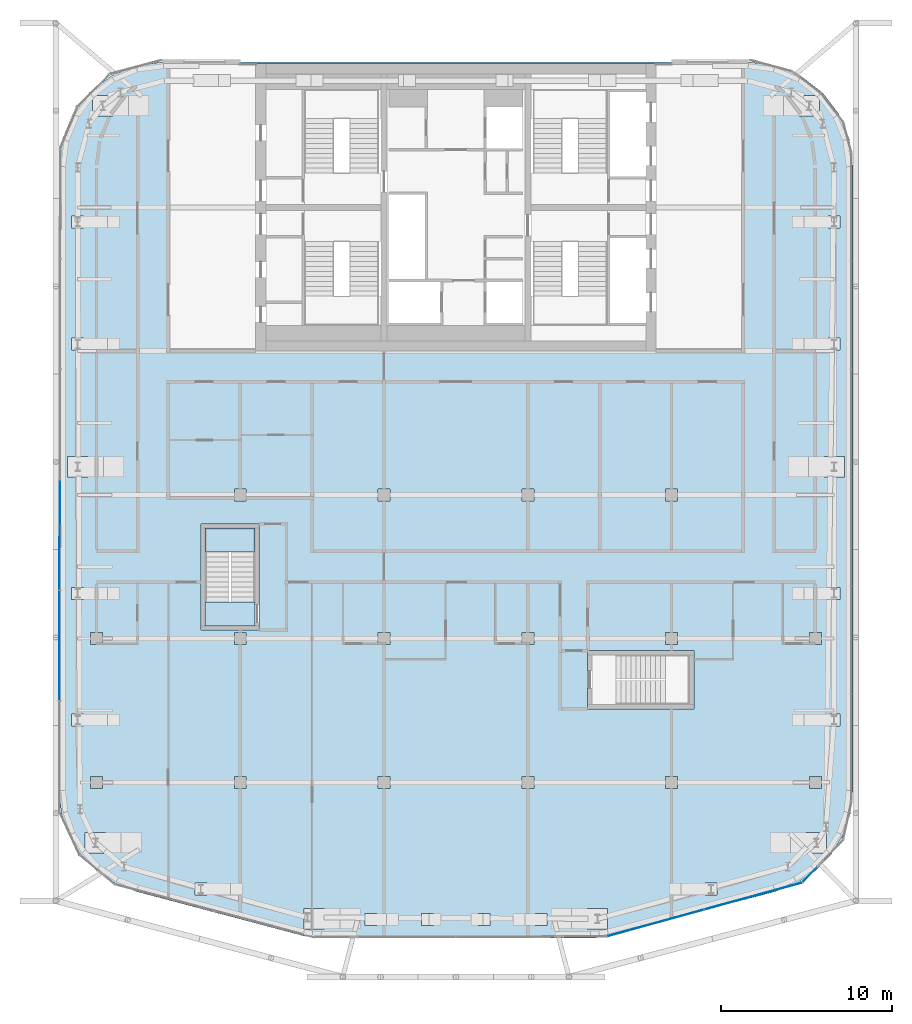
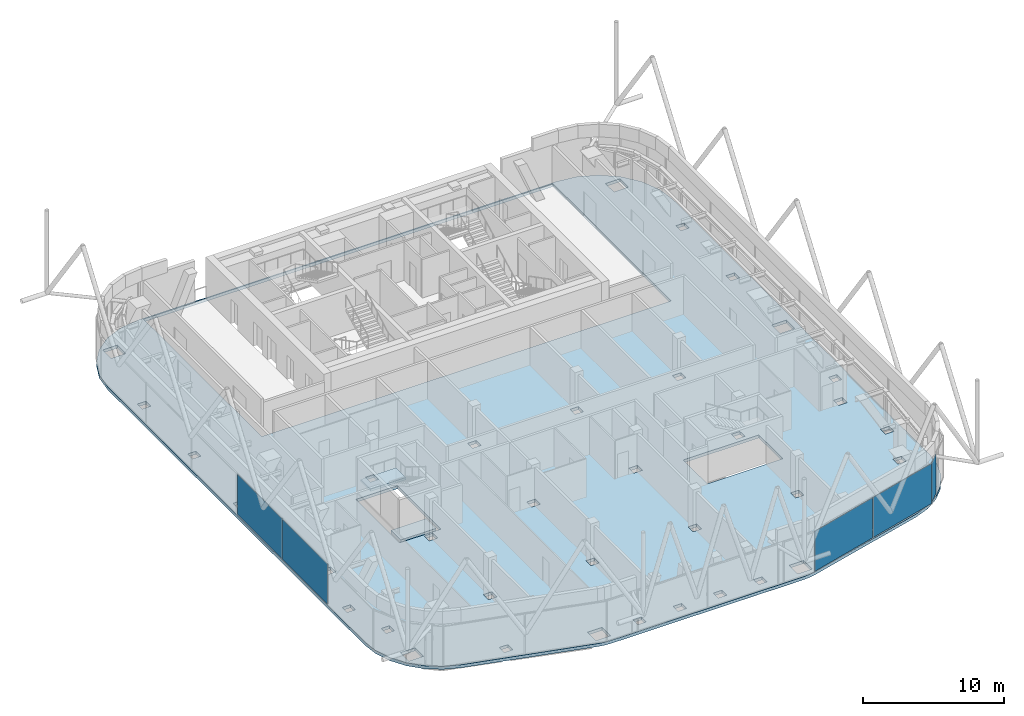
# One storey, part 15 of 25: 5 plates, 3 slabs, 4 elements without a shape of their own.
"""IFC4 building model written with IfcOpenShell, lengths in metres."""

from ifc_helpers import new_model, si_unit, direction, frame, origin, origin_2d, place, context, subcontext, project, spatial, polyline, rectangle, outline, extrude, material, layer, layer_set, type_object, element, aggregate, save


model = new_model("IFC4")

# Units and contexts
model_context = context("Model", 3, precision=1e-05, world=origin(), true_north=direction((0.0, 1.0)))
body_context = subcontext(model_context, "Body", "Model", "MODEL_VIEW")
ifc_project = project(units=[si_unit("LENGTHUNIT", "METRE"), si_unit("AREAUNIT", "SQUARE_METRE"), si_unit("VOLUMEUNIT", "CUBIC_METRE"), si_unit("PLANEANGLEUNIT", "RADIAN"), si_unit("MASSUNIT", "GRAM", prefix="KILO")], contexts=[model_context])

# Site, building, storey
site_placement = place(None, origin())
site = spatial("IfcSite", under=ifc_project, at=site_placement, CompositionType="ELEMENT")
building_placement = place(site_placement, origin())
building = spatial("IfcBuilding", under=site, at=building_placement, Name="Marenta Gate Hotel Tower", CompositionType="ELEMENT")
storey_placement = place(building_placement, frame((0.0, 0.0, 277.699951171875)))
storey = spatial("IfcBuildingStorey", under=building, at=storey_placement, Name="L64", CompositionType="ELEMENT", Elevation=277.699951171875)

# Slab
ifc_material_1 = material(Name="Concrete C35", Category="concrete")
ifc_layer_1 = layer(ifc_material_1, 0.260009765625)
ifc_layer_set_1 = layer_set([ifc_layer_1], Name="Concrete C35")
slab_type_1 = type_object("IfcSlabType", Name="Concrete floor slab 260", PredefinedType="FLOOR", material=ifc_layer_set_1)
slab_1_placement = place(storey_placement, frame((0.0, 0.0, -0.260009765625)))
element("IfcSlab", 1, at=slab_1_placement, inside=storey, type_object=slab_type_1, Name="L64-SL-1", PredefinedType="FLOOR", context=body_context, shape_type="SweptSolid", body=[
    extrude(outline(polyline([(-21.013671875, -30.364013671875), (-21.935302734375, -29.404052734375), (-22.626953125, -28.26708984375), (-23.055419921875, -27.007080078125), (-23.199951171875, -25.689697265625), (-23.199951171875, 10.806640625), (-22.992919921875, 12.37890625), (-22.383544921875, 13.850341796875), (-21.413818359375, 15.114013671875), (-20.150390625, 16.08349609375), (-18.678955078125, 16.693115234375), (-17.1064453125, 16.89990234375), (17.1064453125, 16.89990234375), (18.678955078125, 16.693115234375), (20.150390625, 16.08349609375), (21.413818359375, 15.114013671875), (22.383544921875, 13.850341796875), (22.992919921875, 12.37890625), (23.199951171875, 10.806640625), (23.199951171875, -25.689697265625), (23.055419921875, -27.007080078125), (22.626953125, -28.26708984375), (21.935302734375, -29.404052734375), (21.013671875, -30.364013671875), (19.90576171875, -31.101318359375), (18.66943359375, -31.578857421875), (8.926513671875, -34.16357421875), (8.408447265625, -34.265869140625), (7.881591796875, -34.300048828125), (-7.881591796875, -34.300048828125), (-8.408447265625, -34.265869140625), (-8.926513671875, -34.16357421875), (-18.66943359375, -31.578857421875), (-19.90576171875, -31.101318359375), (-21.013671875, -30.364013671875)]), holes=[polyline([(-16.800048828125, 0.0), (16.800048828125, 0.0), (16.800048828125, 16.800048828125), (-16.800048828125, 16.800048828125), (-16.800048828125, 0.0)]), polyline([(-14.556884765625, -31.089111328125), (-15.2568359375, -31.089111328125), (-15.2568359375, -31.7890625), (-14.556884765625, -31.7890625), (-14.556884765625, -31.089111328125)]), polyline([(-20.462890625, -28.133056640625), (-21.6630859375, -28.133056640625), (-21.6630859375, -29.3330078125), (-20.462890625, -29.3330078125), (-20.462890625, -28.133056640625)]), polyline([(-20.64990234375, -24.85009765625), (-21.35009765625, -24.85009765625), (-21.35009765625, -25.550048828125), (-20.64990234375, -25.550048828125), (-20.64990234375, -24.85009765625)]), polyline([(-12.25, -25.550048828125), (-12.25, -24.85009765625), (-12.949951171875, -24.85009765625), (-12.949951171875, -25.550048828125), (-12.25, -25.550048828125)]), polyline([(-21.75, -21.90185546875), (-21.75, -21.201904296875), (-22.449951171875, -21.201904296875), (-22.449951171875, -21.90185546875), (-21.75, -21.90185546875)]), polyline([(-20.64990234375, -16.449951171875), (-21.35009765625, -16.449951171875), (-21.35009765625, -17.14990234375), (-20.64990234375, -17.14990234375), (-20.64990234375, -16.449951171875)]), polyline([(-12.25, -17.14990234375), (-12.25, -16.449951171875), (-12.949951171875, -16.449951171875), (-12.949951171875, -17.14990234375), (-12.25, -17.14990234375)]), polyline([(-21.75, -14.5009765625), (-21.75, -13.80078125), (-22.449951171875, -13.80078125), (-22.449951171875, -14.5009765625), (-21.75, -14.5009765625)]), polyline([(-12.25, -8.050048828125), (-12.949951171875, -8.050048828125), (-12.949951171875, -8.75), (-12.25, -8.75), (-12.25, -8.050048828125)]), polyline([(-21.5, -7.35009765625), (-21.5, -6.14990234375), (-22.699951171875, -6.14990234375), (-22.699951171875, -7.35009765625), (-21.5, -7.35009765625)]), polyline([(-21.75, 0.05322265625), (-21.75, 0.753173828125), (-22.449951171875, 0.753173828125), (-22.449951171875, 0.05322265625), (-21.75, 0.05322265625)]), polyline([(-21.75, 7.906494140625), (-22.449951171875, 7.906494140625), (-22.449951171875, 7.206298828125), (-21.75, 7.206298828125), (-21.75, 7.906494140625)]), polyline([(-20.035400390625, 14.935546875), (-21.235595703125, 14.935546875), (-21.235595703125, 13.735595703125), (-20.035400390625, 13.735595703125), (-20.035400390625, 14.935546875)]), polyline([(-4.610107421875, -33.550048828125), (-4.610107421875, -32.85009765625), (-5.31005859375, -32.85009765625), (-5.31005859375, -33.550048828125), (-4.610107421875, -33.550048828125)]), polyline([(-1.303466796875, -32.85009765625), (-2.00341796875, -32.85009765625), (-2.00341796875, -33.550048828125), (-1.303466796875, -33.550048828125), (-1.303466796875, -32.85009765625)]), polyline([(2.00341796875, -33.550048828125), (2.00341796875, -32.85009765625), (1.303466796875, -32.85009765625), (1.303466796875, -33.550048828125), (2.00341796875, -33.550048828125)]), polyline([(5.31005859375, -33.550048828125), (5.31005859375, -32.85009765625), (4.610107421875, -32.85009765625), (4.610107421875, -33.550048828125), (5.31005859375, -33.550048828125)]), polyline([(-7.666259765625, -32.57470703125), (-8.8662109375, -32.57470703125), (-8.8662109375, -33.77490234375), (-7.666259765625, -33.77490234375), (-7.666259765625, -32.57470703125)]), polyline([(8.8662109375, -33.77490234375), (8.8662109375, -32.57470703125), (7.666259765625, -32.57470703125), (7.666259765625, -33.77490234375), (8.8662109375, -33.77490234375)]), polyline([(-3.85009765625, -25.550048828125), (-3.85009765625, -24.85009765625), (-4.550048828125, -24.85009765625), (-4.550048828125, -25.550048828125), (-3.85009765625, -25.550048828125)]), polyline([(4.550048828125, -24.85009765625), (3.85009765625, -24.85009765625), (3.85009765625, -25.550048828125), (4.550048828125, -25.550048828125), (4.550048828125, -24.85009765625)]), polyline([(-3.85009765625, -16.449951171875), (-4.550048828125, -16.449951171875), (-4.550048828125, -17.14990234375), (-3.85009765625, -17.14990234375), (-3.85009765625, -16.449951171875)]), polyline([(4.550048828125, -16.449951171875), (3.85009765625, -16.449951171875), (3.85009765625, -17.14990234375), (4.550048828125, -17.14990234375), (4.550048828125, -16.449951171875)]), polyline([(-3.85009765625, -8.75), (-3.85009765625, -8.050048828125), (-4.550048828125, -8.050048828125), (-4.550048828125, -8.75), (-3.85009765625, -8.75)]), polyline([(4.550048828125, -8.75), (4.550048828125, -8.050048828125), (3.85009765625, -8.050048828125), (3.85009765625, -8.75), (4.550048828125, -8.75)]), polyline([(15.2568359375, -31.089111328125), (14.556884765625, -31.089111328125), (14.556884765625, -31.7890625), (15.2568359375, -31.7890625), (15.2568359375, -31.089111328125)]), polyline([(21.6630859375, -29.3330078125), (21.6630859375, -28.133056640625), (20.462890625, -28.133056640625), (20.462890625, -29.3330078125), (21.6630859375, -29.3330078125)]), polyline([(12.949951171875, -25.550048828125), (12.949951171875, -24.85009765625), (12.25, -24.85009765625), (12.25, -25.550048828125), (12.949951171875, -25.550048828125)]), polyline([(21.35009765625, -24.85009765625), (20.64990234375, -24.85009765625), (20.64990234375, -25.550048828125), (21.35009765625, -25.550048828125), (21.35009765625, -24.85009765625)]), polyline([(22.449951171875, -21.201904296875), (21.75, -21.201904296875), (21.75, -21.90185546875), (22.449951171875, -21.90185546875), (22.449951171875, -21.201904296875)]), polyline([(12.949951171875, -16.449951171875), (12.25, -16.449951171875), (12.25, -17.14990234375), (12.949951171875, -17.14990234375), (12.949951171875, -16.449951171875)]), polyline([(21.35009765625, -17.14990234375), (21.35009765625, -16.449951171875), (20.64990234375, -16.449951171875), (20.64990234375, -17.14990234375), (21.35009765625, -17.14990234375)]), polyline([(22.449951171875, -14.5009765625), (22.449951171875, -13.80078125), (21.75, -13.80078125), (21.75, -14.5009765625), (22.449951171875, -14.5009765625)]), polyline([(12.949951171875, -8.050048828125), (12.25, -8.050048828125), (12.25, -8.75), (12.949951171875, -8.75), (12.949951171875, -8.050048828125)]), polyline([(22.699951171875, -7.35009765625), (22.699951171875, -6.14990234375), (21.5, -6.14990234375), (21.5, -7.35009765625), (22.699951171875, -7.35009765625)]), polyline([(22.449951171875, 0.05322265625), (22.449951171875, 0.753173828125), (21.75, 0.753173828125), (21.75, 0.05322265625), (22.449951171875, 0.05322265625)]), polyline([(22.449951171875, 7.906494140625), (21.75, 7.906494140625), (21.75, 7.206298828125), (22.449951171875, 7.206298828125), (22.449951171875, 7.906494140625)]), polyline([(21.235595703125, 13.735595703125), (21.235595703125, 14.935546875), (20.035400390625, 14.935546875), (20.035400390625, 13.735595703125), (21.235595703125, 13.735595703125)]), polyline([(13.89990234375, -20.89990234375), (13.89990234375, -17.5), (7.699951171875, -17.5), (7.699951171875, -20.89990234375), (13.89990234375, -20.89990234375)]), polyline([(-11.5, -16.300048828125), (-11.5, -10.10009765625), (-14.89990234375, -10.10009765625), (-14.89990234375, -16.300048828125), (-11.5, -16.300048828125)])]), origin(), (0.0, 0.0, 1.0), 0.260009765625),
])

# Curtain wall, plates
ifc_material_2 = material(Name="Tinted insulated glass in bronze anodised frame", Category="glass")
ifc_layer_2 = layer(ifc_material_2, 0.1201171875)
ifc_layer_set_2 = layer_set([ifc_layer_2], Name="Tinted insulated glass in bronze anodised frame")
curtain_wall_type = type_object("IfcCurtainWallType", Name="Tower unitised curtain wall CW1", PredefinedType="NOTDEFINED", material=ifc_layer_set_2)
curtain_wall_1_placement = place(storey_placement, origin())
curtain_wall_1 = element("IfcCurtainWall", 2, at=curtain_wall_1_placement, inside=storey, type_object=curtain_wall_type, Name="CW1 run G04", PredefinedType="NOTDEFINED")
ifc_material_3 = material(Name="Tinted insulated glass", Category="glass")
ifc_layer_3 = layer(ifc_material_3, 0.028076171875)
ifc_layer_set_3 = layer_set([ifc_layer_3], Name="Tinted insulated glass")
plate_type = type_object("IfcPlateType", Name="Glass panel CW1 28 mm tinted insulated unit", PredefinedType="CURTAIN_PANEL", material=ifc_layer_set_3)
plate_1_placement = place(storey_placement, frame((-23.147705078125, -10.743896484375, 0.06005859375), z_axis=(0.0, 0.0, 1.0), x_axis=(-0.001566045546, -0.99999877375, 0.0)))
plate_1 = element("IfcPlate", 3, at=plate_1_placement, type_object=plate_type, Name="CW1 panel 4.1", PredefinedType="CURTAIN_PANEL", context=body_context, shape_type="SweptSolid", body=[
    extrude(rectangle(XDim=6.39990234375, YDim=0.028076171875, at=origin_2d()), origin(), (0.0, 0.0, 1.0), 3.47998046875),
])
plate_2_placement = place(storey_placement, frame((-23.15771484375, -17.203857421875, 0.06005859375), z_axis=(0.0, 0.0, 1.0), x_axis=(-0.001566045546, -0.99999877375, 0.0)))
plate_2 = element("IfcPlate", 4, at=plate_2_placement, type_object=plate_type, Name="CW1 panel 5.1", PredefinedType="CURTAIN_PANEL", context=body_context, shape_type="SweptSolid", body=[
    extrude(rectangle(XDim=6.39990234375, YDim=0.028076171875, at=origin_2d()), origin(), (0.0, 0.0, 1.0), 3.47998046875),
])
aggregate(curtain_wall_1, [plate_1, plate_2])

curtain_wall_2_placement = place(storey_placement, origin())
curtain_wall_2 = element("IfcCurtainWall", 5, at=curtain_wall_2_placement, inside=storey, type_object=curtain_wall_type, Name="CW1 run G15", PredefinedType="NOTDEFINED")
plate_3_placement = place(storey_placement, frame((11.652099609375, -33.42041015625, 0.06005859375), z_axis=(0.0, 0.0, 1.0), x_axis=(0.964168083707, 0.265292115151, 0.0)))
plate_3 = element("IfcPlate", 6, at=plate_3_placement, type_object=plate_type, Name="CW1 panel 1.1", PredefinedType="CURTAIN_PANEL", context=body_context, shape_type="SweptSolid", body=[
    extrude(rectangle(XDim=5.84765625, YDim=0.028076171875, at=origin_2d()), origin(), (0.0, 0.0, 1.0), 3.47998046875),
])
plate_4_placement = place(storey_placement, frame((17.376708984375, -31.84521484375, 0.06005859375), z_axis=(0.0, 0.0, 1.0), x_axis=(0.964168083707, 0.265292115151, 0.0)))
plate_4 = element("IfcPlate", 7, at=plate_4_placement, type_object=plate_type, Name="CW1 panel 2.1", PredefinedType="CURTAIN_PANEL", context=body_context, shape_type="SweptSolid", body=[
    extrude(rectangle(XDim=5.90771484375, YDim=0.028076171875, at=origin_2d()), origin(), (0.0, 0.0, 1.0), 3.47998046875),
])
aggregate(curtain_wall_2, [plate_3, plate_4])

# Curtain wall, plate
curtain_wall_3_placement = place(storey_placement, origin())
curtain_wall_3 = element("IfcCurtainWall", 8, at=curtain_wall_3_placement, inside=storey, type_object=curtain_wall_type, Name="CW1 run G16", PredefinedType="NOTDEFINED")
plate_5_placement = place(storey_placement, frame((20.690673828125, -30.576416015625, 0.06005859375), z_axis=(0.0, 0.0, 1.0), x_axis=(0.692530208987, 0.721388875462, 0.0)))
plate_5 = element("IfcPlate", 9, at=plate_5_placement, type_object=plate_type, Name="CW1 panel 1.1", PredefinedType="CURTAIN_PANEL", context=body_context, shape_type="SweptSolid", body=[
    extrude(rectangle(XDim=1.2255859375, YDim=0.028076171875, at=origin_2d()), origin(), (0.0, 0.0, 1.0), 3.47998046875),
])
aggregate(curtain_wall_3, [plate_5])

# Stair, slab
ifc_material_4 = material(Name="Concrete C40", Category="concrete")
stair_type = type_object("IfcStairType", Name="Remote exit stair 1400 wide", PredefinedType="HALF_TURN_STAIR", material=ifc_material_4)
stair_placement = place(storey_placement, origin())
stair = element("IfcStair", 10, at=stair_placement, inside=storey, type_object=stair_type, Name="Exit stair RS-Z4-2", PredefinedType="HALF_TURN_STAIR")
ifc_material_5 = material(Name="Concrete C40", Category="concrete")
ifc_layer_4 = layer(ifc_material_5, 0.199951171875)
ifc_layer_set_4 = layer_set([ifc_layer_4], Name="Concrete C40")
slab_type_2 = type_object("IfcSlabType", Name="Remote stair landing 200", PredefinedType="LANDING", material=ifc_layer_set_4)
slab_2_placement = place(storey_placement, frame((0.0, 0.0, 1.60009765625)))
slab_2 = element("IfcSlab", 11, at=slab_2_placement, type_object=slab_type_2, Name="RL-200 RS-Z4-2 landing 1", PredefinedType="LANDING", context=body_context, shape_type="SweptSolid", body=[
    extrude(outline(polyline([(-14.64990234375, -11.75), (-11.75, -11.75), (-11.75, -10.35009765625), (-14.64990234375, -10.35009765625), (-14.64990234375, -11.75)])), origin(), (0.0, 0.0, 1.0), 0.199951171875),
])
aggregate(stair, [slab_2])

# Slab
ifc_material_6 = material(Name="Concrete C40", Category="concrete")
ifc_layer_5 = layer(ifc_material_6, 0.300048828125)
ifc_layer_set_5 = layer_set([ifc_layer_5], Name="Concrete C40")
slab_type_3 = type_object("IfcSlabType", Name="Stair floor landing slab 300", PredefinedType="FLOOR", material=ifc_layer_set_5)
slab_3_placement = place(storey_placement, frame((0.0, 0.0, -0.300048828125)))
element("IfcSlab", 12, at=slab_3_placement, inside=storey, type_object=slab_type_3, Name="L64-RS-Z4-2-CL", PredefinedType="FLOOR", context=body_context, shape_type="SweptSolid", body=[
    extrude(outline(polyline([(-11.75, -16.050048828125), (-11.75, -14.64990234375), (-14.64990234375, -14.64990234375), (-14.64990234375, -16.050048828125), (-11.75, -16.050048828125)])), origin(), (0.0, 0.0, 1.0), 0.300048828125),
])

save(model, "model.ifc")
